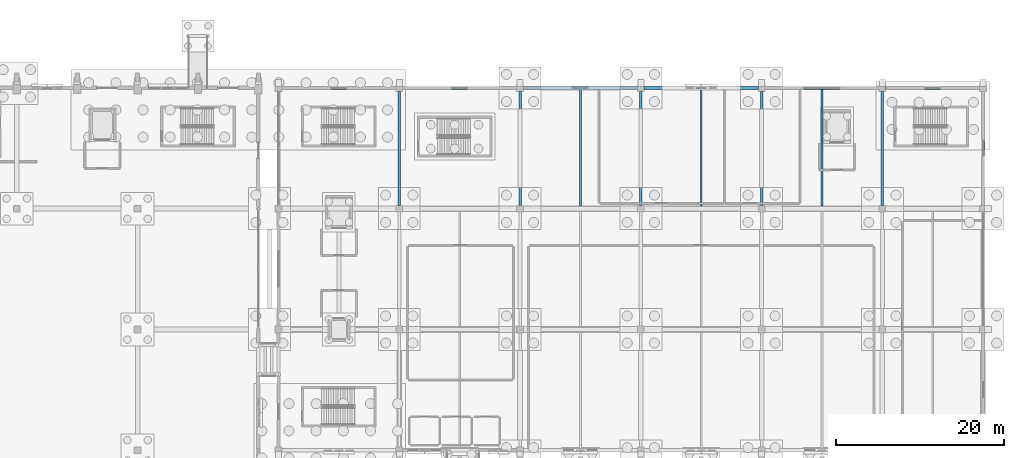
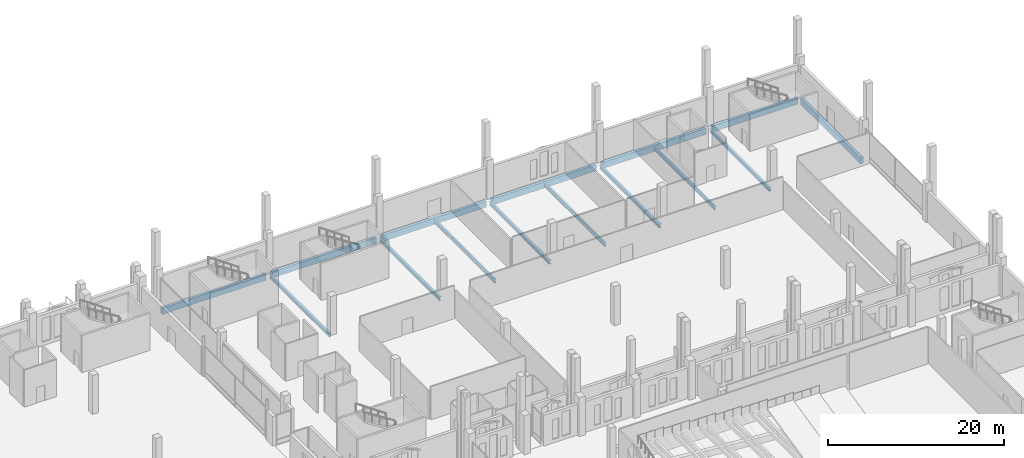
# One storey, part 121 of 192: 15 beams.
"""IFC4 building model written with IfcOpenShell, lengths in metres."""

from ifc_helpers import new_model, si_unit, direction, frame, origin, origin_2d, place, context, subcontext, project, spatial, rectangle, i_section, extrude, material, material_profile, profile_set, type_object, element, save


model = new_model("IFC4")

# Units and contexts
model_context = context("Model", 3, precision=1e-05, world=origin(), true_north=direction((0.0, 1.0)))
body_context = subcontext(model_context, "Body", "Model", "MODEL_VIEW")
ifc_project = project(units=[si_unit("LENGTHUNIT", "METRE"), si_unit("AREAUNIT", "SQUARE_METRE"), si_unit("VOLUMEUNIT", "CUBIC_METRE"), si_unit("PLANEANGLEUNIT", "RADIAN"), si_unit("MASSUNIT", "GRAM", prefix="KILO")], contexts=[model_context])

# Site, building, storey
site_placement = place(None, origin())
site = spatial("IfcSite", under=ifc_project, at=site_placement, CompositionType="ELEMENT")
building_placement = place(site_placement, origin())
building = spatial("IfcBuilding", under=site, at=building_placement, Name="Cendralis Lancet Convention Centre", CompositionType="ELEMENT")
storey_placement = place(building_placement, origin())
storey = spatial("IfcBuildingStorey", under=building, at=storey_placement, Name="L00", CompositionType="ELEMENT", Elevation=0.0)

# Beams
ifc_material_1 = material(Name="Steel S355", Category="steel")
ifc_material_profile_1 = material_profile(ifc_material_1, i_section(OverallWidth=0.300048828125, OverallDepth=0.489990234375, WebThickness=0.011962890625, FlangeThickness=0.02294921875, FilletRadius=0.027099609375, at=origin_2d()), Name="HEA 500")
ifc_profile_set_1 = profile_set([ifc_material_profile_1], Name="Steel S355")
beam_type_1 = type_object("IfcBeamType", Name="STR-BM-SG12", PredefinedType="BEAM", material=ifc_profile_set_1)
for number, where, z_axis, x_axis, name in (
    (1, (139.199951171875, 122.800048828125, -0.56494140625), (0.0, 1.0, 0.0), (-1.0, 0.0, 0.0), "L00 Beam SG12 #1610"),
    (2, (153.60009765625, 122.800048828125, -0.56494140625), (0.0, 1.0, 0.0), (-1.0, 0.0, 0.0), "L00 Beam SG12 #1613"),
    (3, (168.0, 122.800048828125, -0.56494140625), (0.0, 1.0, 0.0), (-1.0, 0.0, 0.0), "L00 Beam SG12 #1616"),
    (4, (182.39990234375, 122.800048828125, -0.56494140625), (0.0, 1.0, 0.0), (-1.0, 0.0, 0.0), "L00 Beam SG12 #1619"),
    (5, (196.800048828125, 122.800048828125, -0.56494140625), (0.0, 1.0, 0.0), (-1.0, 0.0, 0.0), "L00 Beam SG12 #1622"),
):
    element("IfcBeam", number, at=place(storey_placement, frame(where, z_axis=z_axis, x_axis=x_axis)), inside=storey, type_object=beam_type_1, Name=name, PredefinedType="BEAM", context=body_context, shape_type="SweptSolid", body=[
        extrude(i_section(OverallWidth=0.300048828125, OverallDepth=0.489990234375, WebThickness=0.011962890625, FlangeThickness=0.02294921875, FilletRadius=0.027099609375, at=origin_2d()), origin(), (0.0, 0.0, 1.0), 13.599853515625),
    ])
ifc_material_profile_2 = material_profile(ifc_material_1, i_section(OverallWidth=0.2099609375, OverallDepth=0.550048828125, WebThickness=0.010986328125, FlangeThickness=0.01708984375, FilletRadius=0.02392578125, at=origin_2d()), Name="IPE 550")
ifc_profile_set_2 = profile_set([ifc_material_profile_2], Name="Steel S355")
beam_type_2 = type_object("IfcBeamType", Name="STR-JS-BJ05", PredefinedType="JOIST", material=ifc_profile_set_2)
for number, where, z_axis, x_axis, name in (
    (6, (160.800048828125, 122.75, -0.594970703125), (0.0, 1.0, 0.0), (-1.0, 0.0, 0.0), "L00 Beam BJ05 #1630"),
    (7, (175.199951171875, 122.75, -0.594970703125), (0.0, 1.0, 0.0), (-1.0, 0.0, 0.0), "L00 Beam BJ05 #1633"),
    (8, (189.60009765625, 122.75, -0.594970703125), (0.0, 1.0, 0.0), (-1.0, 0.0, 0.0), "L00 Beam BJ05 #1636"),
):
    element("IfcBeam", number, at=place(storey_placement, frame(where, z_axis=z_axis, x_axis=x_axis)), inside=storey, type_object=beam_type_2, Name=name, PredefinedType="JOIST", context=body_context, shape_type="SweptSolid", body=[
        extrude(i_section(OverallWidth=0.2099609375, OverallDepth=0.550048828125, WebThickness=0.010986328125, FlangeThickness=0.01708984375, FilletRadius=0.02392578125, at=origin_2d()), origin(), (0.0, 0.0, 1.0), 13.89990234375),
    ])
ifc_material_2 = material(Name="Concrete G40 (C40/50)", Category="concrete")
ifc_material_profile_3 = material_profile(ifc_material_2, rectangle(XDim=0.39990234375, YDim=0.85009765625, at=origin_2d()), Name="RCB 400x850")
ifc_profile_set_3 = profile_set([ifc_material_profile_3], Name="Concrete G40 (C40/50)")
beam_type_3 = type_object("IfcBeamType", Name="STR-SP-SP02", PredefinedType="SPANDREL", material=ifc_profile_set_3)
beam_1_placement = place(storey_placement, frame((125.199951171875, 136.800048828125, -0.7451171875), z_axis=(1.0, 0.0, 0.0), x_axis=(0.0, 1.0, 0.0)))
element("IfcBeam", 9, at=beam_1_placement, inside=storey, type_object=beam_type_3, Name="L00 Beam SP02 #1599", PredefinedType="SPANDREL", context=body_context, shape_type="SweptSolid", body=[
    extrude(rectangle(XDim=0.39990234375, YDim=0.85009765625, at=origin_2d()), origin(), (0.0, 0.0, 1.0), 13.60009765625),
])
beam_2_placement = place(storey_placement, frame((139.60009765625, 136.800048828125, -0.7451171875), z_axis=(1.0, 0.0, 0.0), x_axis=(0.0, 1.0, 0.0)))
element("IfcBeam", 10, at=beam_2_placement, inside=storey, type_object=beam_type_3, Name="L00 Beam SP02 #1600", PredefinedType="SPANDREL", context=body_context, shape_type="SweptSolid", body=[
    extrude(rectangle(XDim=0.39990234375, YDim=0.85009765625, at=origin_2d()), origin(), (0.0, 0.0, 1.0), 13.599853515625),
])
for number, where, z_axis, x_axis, name in (
    (11, (154.0, 136.800048828125, -0.7451171875), (1.0, 0.0, 0.0), (0.0, 1.0, 0.0), "L00 Beam SP02 #1601"),
    (12, (168.39990234375, 136.800048828125, -0.7451171875), (1.0, 0.0, 0.0), (0.0, 1.0, 0.0), "L00 Beam SP02 #1602"),
):
    element("IfcBeam", number, at=place(storey_placement, frame(where, z_axis=z_axis, x_axis=x_axis)), inside=storey, type_object=beam_type_3, Name=name, PredefinedType="SPANDREL", context=body_context, shape_type="SweptSolid", body=[
        extrude(rectangle(XDim=0.39990234375, YDim=0.85009765625, at=origin_2d()), origin(), (0.0, 0.0, 1.0), 13.60009765625),
    ])
beam_3_placement = place(storey_placement, frame((182.800048828125, 136.800048828125, -0.7451171875), z_axis=(1.0, 0.0, 0.0), x_axis=(0.0, 1.0, 0.0)))
element("IfcBeam", 13, at=beam_3_placement, inside=storey, type_object=beam_type_3, Name="L00 Beam SP02 #1603", PredefinedType="SPANDREL", context=body_context, shape_type="SweptSolid", body=[
    extrude(rectangle(XDim=0.39990234375, YDim=0.85009765625, at=origin_2d()), origin(), (0.0, 0.0, 1.0), 13.599853515625),
])
beam_4_placement = place(storey_placement, frame((197.199951171875, 136.800048828125, -0.7451171875), z_axis=(1.0, 0.0, 0.0), x_axis=(0.0, 1.0, 0.0)))
element("IfcBeam", 14, at=beam_4_placement, inside=storey, type_object=beam_type_3, Name="L00 Beam SP02 #1604", PredefinedType="SPANDREL", context=body_context, shape_type="SweptSolid", body=[
    extrude(rectangle(XDim=0.39990234375, YDim=0.85009765625, at=origin_2d()), origin(), (0.0, 0.0, 1.0), 11.199951171875),
])
beam_5_placement = place(storey_placement, frame((208.800048828125, 122.800048828125, -0.7451171875), z_axis=(0.0, 1.0, 0.0), x_axis=(-1.0, 0.0, 0.0)))
element("IfcBeam", 15, at=beam_5_placement, inside=storey, type_object=beam_type_3, Name="L00 Beam SP02 #1625", PredefinedType="SPANDREL", context=body_context, shape_type="SweptSolid", body=[
    extrude(rectangle(XDim=0.39990234375, YDim=0.85009765625, at=origin_2d()), origin(), (0.0, 0.0, 1.0), 13.599853515625),
])

save(model, "model.ifc")
